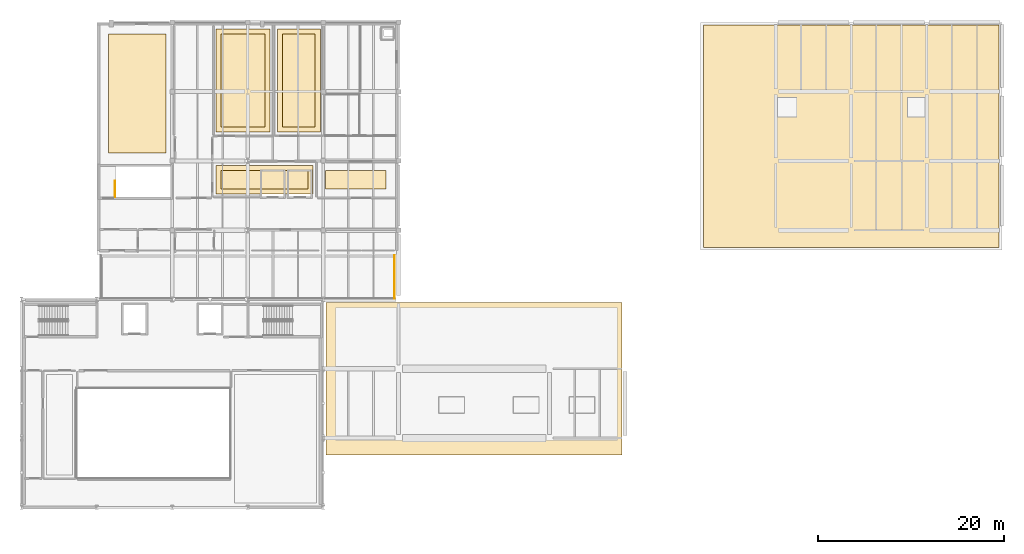
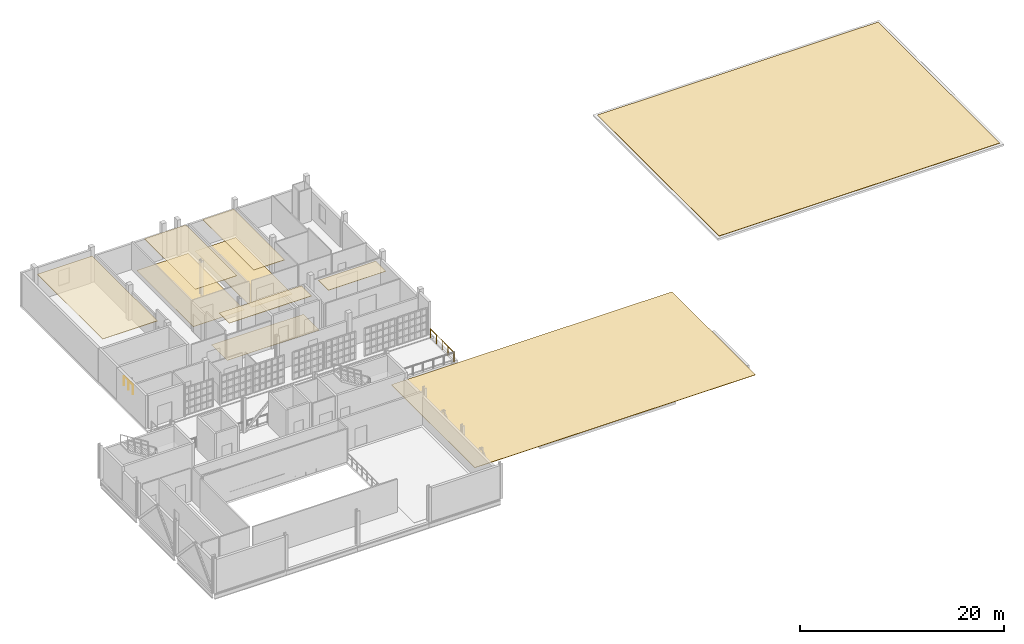
# One storey, part 25 of 25: 10 coverings, 2 railings.
"""IFC4 building model written with IfcOpenShell, lengths in metres."""

from ifc_helpers import new_model, si_unit, direction, frame, origin, origin_2d, place, context, subcontext, project, spatial, polyline, circle, outline, extrude, material, layer, layer_set, type_object, element, save


model = new_model("IFC4")

# Units and contexts
model_context = context("Model", 3, precision=1e-05, world=origin(), true_north=direction((0.0, 1.0)))
body_context = subcontext(model_context, "Body", "Model", "MODEL_VIEW")
ifc_project = project(units=[si_unit("LENGTHUNIT", "METRE"), si_unit("AREAUNIT", "SQUARE_METRE"), si_unit("VOLUMEUNIT", "CUBIC_METRE"), si_unit("PLANEANGLEUNIT", "RADIAN"), si_unit("MASSUNIT", "GRAM", prefix="KILO")], contexts=[model_context])

# Site, building, storey
site_placement = place(None, origin())
site = spatial("IfcSite", under=ifc_project, at=site_placement, CompositionType="ELEMENT")
building_placement = place(site_placement, origin())
building = spatial("IfcBuilding", under=site, at=building_placement, Name="Kaelora Sail Theatre", CompositionType="ELEMENT")
storey_placement = place(building_placement, frame((0.0, 0.0, 19.199951171875)))
storey = spatial("IfcBuildingStorey", under=building, at=storey_placement, Name="L04", CompositionType="ELEMENT", Elevation=19.199951171875)

# Coverings
ifc_material_1 = material(Name="Micro-perforated timber acoustic reflector", Category="wood")
ifc_layer_1 = layer(ifc_material_1, 0.050048828125)
ifc_layer_set_1 = layer_set([ifc_layer_1], Name="Micro-perforated timber acoustic reflector")
covering_type_1 = type_object("IfcCoveringType", Name="ARC-COV-CLG-AC-50", PredefinedType="CEILING", material=ifc_layer_set_1)
covering_1_placement = place(storey_placement, frame((0.0, 0.0, 3.9150390625)))
element("IfcCovering", 1, at=covering_1_placement, inside=storey, type_object=covering_type_1, Name="Acoustic ceiling L04-PRESS-STU", PredefinedType="CEILING", context=body_context, shape_type="SweptSolid", body=[
    extrude(outline(polyline([(47.25, 95.199951171875), (56.550048828125, 95.199951171875), (56.550048828125, 97.199951171875), (47.25, 97.199951171875), (47.25, 95.199951171875)])), origin(), (0.0, 0.0, 1.0), 0.050048828125),
])
covering_2_placement = place(storey_placement, frame((0.0, 0.0, 3.9150390625)))
element("IfcCovering", 2, at=covering_2_placement, inside=storey, type_object=covering_type_1, Name="Acoustic ceiling L04-ART-DIR", PredefinedType="CEILING", context=body_context, shape_type="SweptSolid", body=[
    extrude(outline(polyline([(35.14990234375, 99.050048828125), (41.35009765625, 99.050048828125), (41.35009765625, 111.85009765625), (35.14990234375, 111.85009765625), (35.14990234375, 99.050048828125)])), origin(), (0.0, 0.0, 1.0), 0.050048828125),
])
covering_3_placement = place(storey_placement, frame((0.0, 0.0, 3.9150390625)))
element("IfcCovering", 3, at=covering_3_placement, inside=storey, type_object=covering_type_1, Name="Acoustic ceiling L04-BOARD", PredefinedType="CEILING", context=body_context, shape_type="SweptSolid", body=[
    extrude(outline(polyline([(53.85009765625, 101.85009765625), (57.35009765625, 101.85009765625), (57.35009765625, 111.85009765625), (53.85009765625, 111.85009765625), (53.85009765625, 101.85009765625)])), origin(), (0.0, 0.0, 1.0), 0.050048828125),
])
ifc_material_2 = material(Name="Suspended acoustic mineral-fibre ceiling", Category="gypsum")
ifc_layer_2 = layer(ifc_material_2, 0.034912109375)
ifc_layer_set_2 = layer_set([ifc_layer_2], Name="Suspended acoustic mineral-fibre ceiling")
covering_type_2 = type_object("IfcCoveringType", Name="ARC-COV-CLG-GYP-35", PredefinedType="CEILING", material=ifc_layer_set_2)
covering_4_placement = place(storey_placement, frame((0.0, 0.0, 3.929931640625)))
element("IfcCovering", 4, at=covering_4_placement, inside=storey, type_object=covering_type_2, Name="Acoustic ceiling L04-CAST-OFC", PredefinedType="CEILING", context=body_context, shape_type="SweptSolid", body=[
    extrude(outline(polyline([(58.449951171875, 95.199951171875), (64.949951171875, 95.199951171875), (64.949951171875, 97.199951171875), (58.449951171875, 97.199951171875), (58.449951171875, 95.199951171875)])), origin(), (0.0, 0.0, 1.0), 0.03515625),
])
covering_5_placement = place(storey_placement, frame((0.0, 0.0, 3.929931640625)))
element("IfcCovering", 5, at=covering_5_placement, inside=storey, type_object=covering_type_2, Name="Acoustic ceiling L04-PROD-OFC", PredefinedType="CEILING", context=body_context, shape_type="SweptSolid", body=[
    extrude(outline(polyline([(47.25, 101.85009765625), (51.949951171875, 101.85009765625), (51.949951171875, 111.85009765625), (47.25, 111.85009765625), (47.25, 101.85009765625)])), origin(), (0.0, 0.0, 1.0), 0.03515625),
])
ifc_material_3 = material(Name="Sprung West African iroko stage and dance floor", Category="timber")
ifc_layer_3 = layer(ifc_material_3, 0.028076171875)
ifc_layer_set_3 = layer_set([ifc_layer_3], Name="Sprung West African iroko stage and dance floor")
covering_type_3 = type_object("IfcCoveringType", Name="ARC-COV-FLR-OAK-28", PredefinedType="FLOORING", material=ifc_layer_set_3)
covering_6_placement = place(storey_placement, origin())
element("IfcCovering", 6, at=covering_6_placement, inside=storey, type_object=covering_type_3, Name="Architectural flooring L04-PRESS-STU", PredefinedType="FLOORING", context=body_context, shape_type="SweptSolid", body=[
    extrude(outline(polyline([(46.699951171875, 94.64990234375), (57.10009765625, 94.64990234375), (57.10009765625, 97.75), (46.699951171875, 97.75), (46.699951171875, 94.64990234375)])), origin(), (0.0, 0.0, 1.0), 0.028076171875),
])
covering_7_placement = place(storey_placement, origin())
element("IfcCovering", 7, at=covering_7_placement, inside=storey, type_object=covering_type_3, Name="Architectural flooring L04-PROD-OFC", PredefinedType="FLOORING", context=body_context, shape_type="SweptSolid", body=[
    extrude(outline(polyline([(46.699951171875, 101.300048828125), (52.5, 101.300048828125), (52.5, 112.39990234375), (46.699951171875, 112.39990234375), (46.699951171875, 101.300048828125)])), origin(), (0.0, 0.0, 1.0), 0.028076171875),
])
ifc_material_4 = material(Name="Polished basalt-terrazzo foyer flooring", Category="masonry")
ifc_layer_4 = layer(ifc_material_4, 0.031982421875)
ifc_layer_set_4 = layer_set([ifc_layer_4], Name="Polished basalt-terrazzo foyer flooring")
covering_type_4 = type_object("IfcCoveringType", Name="ARC-COV-FLR-TRZ-32", PredefinedType="FLOORING", material=ifc_layer_set_4)
covering_8_placement = place(storey_placement, origin())
element("IfcCovering", 8, at=covering_8_placement, inside=storey, type_object=covering_type_4, Name="Architectural flooring L04-BOARD", PredefinedType="FLOORING", context=body_context, shape_type="SweptSolid", body=[
    extrude(outline(polyline([(53.300048828125, 101.300048828125), (57.89990234375, 101.300048828125), (57.89990234375, 112.39990234375), (53.300048828125, 112.39990234375), (53.300048828125, 101.300048828125)])), origin(), (0.0, 0.0, 1.0), 0.031982421875),
])
ifc_material_5 = material(Name="Standing-seam titanium-zinc and TPO membrane", Category="metal")
ifc_layer_5 = layer(ifc_material_5, 0.044921875)
ifc_layer_set_5 = layer_set([ifc_layer_5], Name="Standing-seam titanium-zinc and TPO membrane")
covering_type_5 = type_object("IfcCoveringType", Name="ARC-COV-RFM", PredefinedType="ROOFING", material=ifc_layer_set_5)
covering_9_placement = place(storey_placement, origin())
element("IfcCovering", 9, at=covering_9_placement, inside=storey, type_object=covering_type_5, Name="Standing-seam titanium-zinc roofing FC1", PredefinedType="ROOFING", context=body_context, shape_type="SweptSolid", body=[
    extrude(outline(polyline([(58.530029296875, 66.64990234375), (90.27001953125, 66.64990234375), (90.27001953125, 83.010009765625), (58.530029296875, 83.010009765625), (58.530029296875, 66.64990234375)])), origin(), (0.0, 0.0, 1.0), 0.045166015625),
])
covering_10_placement = place(storey_placement, origin())
element("IfcCovering", 10, at=covering_10_placement, inside=storey, type_object=covering_type_5, Name="Standing-seam titanium-zinc roofing NW4", PredefinedType="ROOFING", context=body_context, shape_type="SweptSolid", body=[
    extrude(outline(polyline([(99.030029296875, 88.949951171875), (130.77001953125, 88.949951171875), (130.77001953125, 112.800048828125), (99.030029296875, 112.800048828125), (99.030029296875, 88.949951171875)])), origin(), (0.0, 0.0, 1.0), 0.045166015625),
])

# Railings
ifc_material_6 = material(Name="Painted steel and laminated safety glass guard", Category="steel")
railing_type_1 = type_object("IfcRailingType", Name="ARC-RL-GRD", PredefinedType="GUARDRAIL", material=ifc_material_6)
railing_1_placement = place(storey_placement, frame((35.85009765625, 94.35009765625, 0.0)))
element("IfcRailing", 11, at=railing_1_placement, inside=storey, type_object=railing_type_1, Name="L04 ST-K2 top well guard 1", PredefinedType="GUARDRAIL", context=body_context, shape_type="SweptSolid", body=[
    extrude(circle(Radius=0.02392578125, at=origin_2d()), frame((0.0, 0.0, 1.076171875), z_axis=(0.0, 1.0, 0.0), x_axis=(-1.0, 0.0, 0.0)), (0.0, 0.0, 1.0), 1.699951171875),
    extrude(circle(Radius=0.02099609375, at=origin_2d()), origin(), (0.0, 0.0, 1.0), 1.052001953125),
    extrude(circle(Radius=0.02099609375, at=origin_2d()), frame((0.0, 0.85009765625, 0.0)), (0.0, 0.0, 1.0), 1.052001953125),
    extrude(circle(Radius=0.02099609375, at=origin_2d()), frame((0.0, 1.699951171875, 0.0)), (0.0, 0.0, 1.0), 1.052001953125),
])
ifc_material_7 = material(Name="Stainless steel 316L and laminated glass balustrade", Category="steel")
railing_type_2 = type_object("IfcRailingType", Name="ARC-RL-TER", PredefinedType="GUARDRAIL", material=ifc_material_7)
railing_2_placement = place(storey_placement, frame((65.8701171875, 83.43505859375, 0.0)))
element("IfcRailing", 12, at=railing_2_placement, inside=storey, type_object=railing_type_2, Name="Fifth Step Conservatory & Recording Planted Terrace Balustrade E", PredefinedType="GUARDRAIL", context=body_context, shape_type="SweptSolid", body=[
    extrude(circle(Radius=0.02392578125, at=origin_2d()), frame((0.0, 0.0, 1.076171875), z_axis=(0.0, 1.0, 0.0), x_axis=(-1.0, 0.0, 0.0)), (0.0, 0.0, 1.0), 4.619873046875),
    extrude(circle(Radius=0.02099609375, at=origin_2d()), origin(), (0.0, 0.0, 1.0), 1.052001953125),
    extrude(circle(Radius=0.02099609375, at=origin_2d()), frame((0.0, 1.155029296875, 0.0)), (0.0, 0.0, 1.0), 1.052001953125),
    extrude(circle(Radius=0.02099609375, at=origin_2d()), frame((0.0, 2.31005859375, 0.0)), (0.0, 0.0, 1.0), 1.052001953125),
    extrude(circle(Radius=0.02099609375, at=origin_2d()), frame((0.0, 3.46484375, 0.0)), (0.0, 0.0, 1.0), 1.052001953125),
    extrude(circle(Radius=0.02099609375, at=origin_2d()), frame((0.0, 4.619873046875, 0.0)), (0.0, 0.0, 1.0), 1.052001953125),
])

save(model, "model.ifc")
